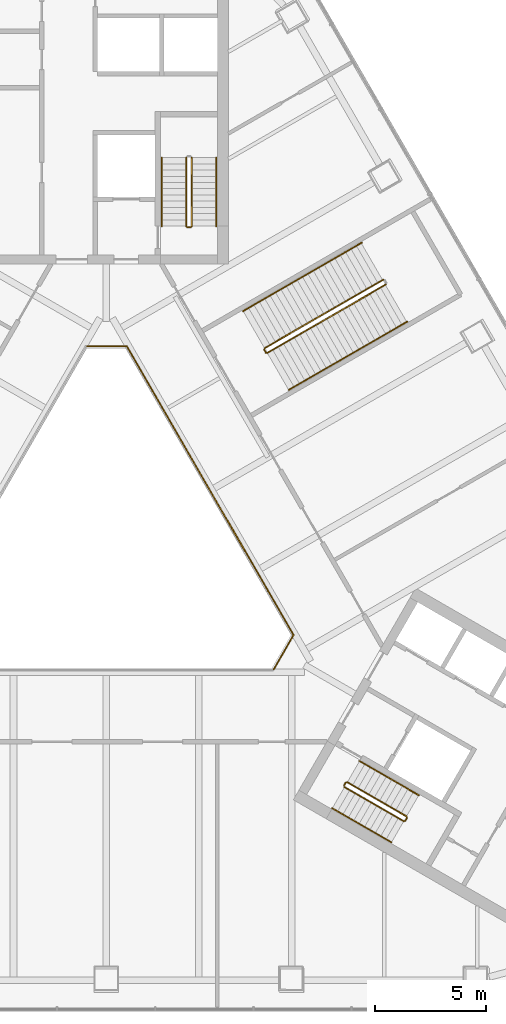
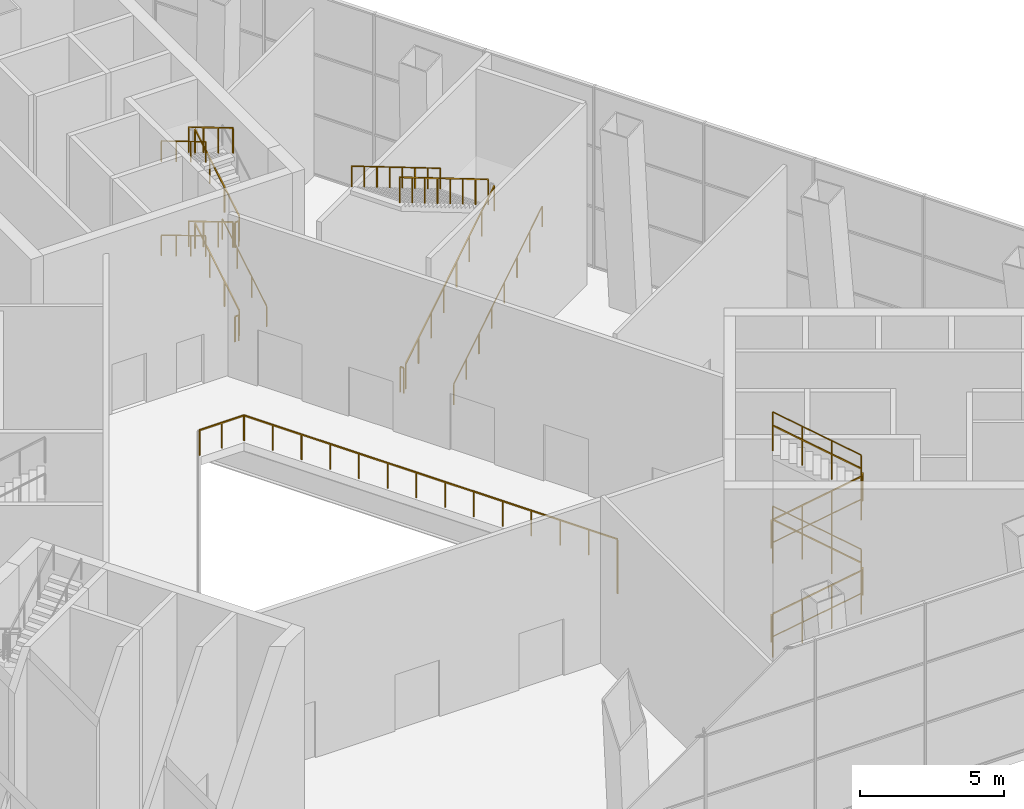
# One storey, part 15 of 16: 27 railings.
"""IFC4 building model written with IfcOpenShell, lengths in metres."""

from ifc_helpers import new_model, si_unit, direction, frame, origin, origin_2d, place, context, subcontext, project, spatial, rectangle, circle, extrude, material, type_object, element, save


model = new_model("IFC4")

# Units and contexts
model_context = context("Model", 3, precision=1e-05, world=origin(), true_north=direction((0.0, 1.0)))
body_context = subcontext(model_context, "Body", "Model", "MODEL_VIEW")
ifc_project = project(units=[si_unit("LENGTHUNIT", "METRE"), si_unit("AREAUNIT", "SQUARE_METRE"), si_unit("VOLUMEUNIT", "CUBIC_METRE"), si_unit("PLANEANGLEUNIT", "RADIAN"), si_unit("MASSUNIT", "GRAM", prefix="KILO")], contexts=[model_context])

# Site, building, storey
site_placement = place(None, origin())
site = spatial("IfcSite", under=ifc_project, at=site_placement, CompositionType="ELEMENT")
building_placement = place(site_placement, origin())
building = spatial("IfcBuilding", under=site, at=building_placement, Name="Apuvela Tower Hotel", CompositionType="ELEMENT")
storey_placement = place(building_placement, frame((0.0, 0.0, 15.5)))
storey = spatial("IfcBuildingStorey", under=building, at=storey_placement, Name="L02", CompositionType="ELEMENT", Elevation=15.5)

# Railings
ifc_material_1 = material(Name="Steel S275 balustrade", Category="steel")
railing_type_1 = type_object("IfcRailingType", Name="COR-GUARD-1100", PredefinedType="GUARDRAIL", material=ifc_material_1)
railing_1_placement = place(storey_placement, frame((3.85009765625, 14.60009765625, 0.166748046875)))
element("IfcRailing", 1, at=railing_1_placement, inside=storey, type_object=railing_type_1, Name="L02 ST1 stair guard 1", PredefinedType="GUARDRAIL", context=body_context, shape_type="SweptSolid", body=[
    extrude(rectangle(XDim=0.048095703125, YDim=0.048095703125, at=origin_2d()), frame((0.0, 0.0, 1.076171875), z_axis=(0.0, 0.859290745958, 0.51148745235), x_axis=(-1.0, 0.0, 0.0)), (0.0, 0.0, 1.0), 3.584228515625),
    extrude(rectangle(XDim=0.0419921875, YDim=0.0419921875, at=origin_2d()), origin(), (0.0, 0.0, 1.0), 1.052001953125),
    extrude(rectangle(XDim=0.0419921875, YDim=0.0419921875, at=origin_2d()), frame((0.0, 1.026611328125, 0.611083984375)), (0.0, 0.0, 1.0), 1.052001953125),
    extrude(rectangle(XDim=0.0419921875, YDim=0.0419921875, at=origin_2d()), frame((0.0, 2.05322265625, 1.22216796875)), (0.0, 0.0, 1.0), 1.052001953125),
    extrude(rectangle(XDim=0.0419921875, YDim=0.0419921875, at=origin_2d()), frame((0.0, 3.079833984375, 1.833251953125)), (0.0, 0.0, 1.0), 1.052001953125),
])
railing_2_placement = place(storey_placement, frame((3.60009765625, 17.679931640625, 2.166748046875)))
element("IfcRailing", 2, at=railing_2_placement, inside=storey, type_object=railing_type_1, Name="L02 ST1 stair guard 3", PredefinedType="GUARDRAIL", context=body_context, shape_type="SweptSolid", body=[
    extrude(rectangle(XDim=0.048095703125, YDim=0.048095703125, at=origin_2d()), frame((0.0, 0.0, 1.076171875), z_axis=(0.0, -0.859290745958, 0.51148745235), x_axis=(1.0, 0.0, 0.0)), (0.0, 0.0, 1.0), 3.584228515625),
    extrude(rectangle(XDim=0.0419921875, YDim=0.0419921875, at=origin_2d()), origin(), (0.0, 0.0, 1.0), 1.052001953125),
    extrude(rectangle(XDim=0.0419921875, YDim=0.0419921875, at=origin_2d()), frame((0.0, -1.026611328125, 0.611083984375)), (0.0, 0.0, 1.0), 1.052001953125),
    extrude(rectangle(XDim=0.0419921875, YDim=0.0419921875, at=origin_2d()), frame((0.0, -2.05322265625, 1.22216796875)), (0.0, 0.0, 1.0), 1.052001953125),
    extrude(rectangle(XDim=0.0419921875, YDim=0.0419921875, at=origin_2d()), frame((0.0, -3.079833984375, 1.833251953125)), (0.0, 0.0, 1.0), 1.052001953125),
])
railing_3_placement = place(storey_placement, frame((3.800048828125, 14.550048828125, 4.0)))
element("IfcRailing", 3, at=railing_3_placement, inside=storey, type_object=railing_type_1, Name="L02 ST1 stair guard 4", PredefinedType="GUARDRAIL", context=body_context, shape_type="SweptSolid", body=[
    extrude(rectangle(XDim=0.048095703125, YDim=0.048095703125, at=origin_2d()), frame((0.0, 0.0, 1.076171875), z_axis=(-1.0, 0.0, 0.0), x_axis=(0.0, -1.0, 0.0)), (0.0, 0.0, 1.0), 0.150146484375),
    extrude(rectangle(XDim=0.0419921875, YDim=0.0419921875, at=origin_2d()), origin(), (0.0, 0.0, 1.0), 1.052001953125),
    extrude(rectangle(XDim=0.0419921875, YDim=0.0419921875, at=origin_2d()), frame((-0.150146484375, 0.0, 0.0)), (0.0, 0.0, 1.0), 1.052001953125),
])
railing_4_placement = place(storey_placement, frame((3.85009765625, 14.60009765625, 4.166748046875)))
element("IfcRailing", 4, at=railing_4_placement, inside=storey, type_object=railing_type_1, Name="L02 ST1 stair guard 5", PredefinedType="GUARDRAIL", context=body_context, shape_type="SweptSolid", body=[
    extrude(rectangle(XDim=0.048095703125, YDim=0.048095703125, at=origin_2d()), frame((0.0, 0.0, 1.076171875), z_axis=(0.0, 0.859290745958, 0.51148745235), x_axis=(-1.0, 0.0, 0.0)), (0.0, 0.0, 1.0), 3.584228515625),
    extrude(rectangle(XDim=0.0419921875, YDim=0.0419921875, at=origin_2d()), origin(), (0.0, 0.0, 1.0), 1.052001953125),
    extrude(rectangle(XDim=0.0419921875, YDim=0.0419921875, at=origin_2d()), frame((0.0, 1.026611328125, 0.611083984375)), (0.0, 0.0, 1.0), 1.052001953125),
    extrude(rectangle(XDim=0.0419921875, YDim=0.0419921875, at=origin_2d()), frame((0.0, 2.05322265625, 1.22216796875)), (0.0, 0.0, 1.0), 1.052001953125),
    extrude(rectangle(XDim=0.0419921875, YDim=0.0419921875, at=origin_2d()), frame((0.0, 3.079833984375, 1.833251953125)), (0.0, 0.0, 1.0), 1.052001953125),
])
railing_5_placement = place(storey_placement, frame((3.60009765625, 17.679931640625, 6.166748046875)))
element("IfcRailing", 5, at=railing_5_placement, inside=storey, type_object=railing_type_1, Name="L02 ST1 stair guard 7", PredefinedType="GUARDRAIL", context=body_context, shape_type="SweptSolid", body=[
    extrude(rectangle(XDim=0.048095703125, YDim=0.048095703125, at=origin_2d()), frame((0.0, 0.0, 1.076171875), z_axis=(0.0, -0.859290745958, 0.51148745235), x_axis=(1.0, 0.0, 0.0)), (0.0, 0.0, 1.0), 3.584228515625),
    extrude(rectangle(XDim=0.0419921875, YDim=0.0419921875, at=origin_2d()), origin(), (0.0, 0.0, 1.0), 1.052001953125),
    extrude(rectangle(XDim=0.0419921875, YDim=0.0419921875, at=origin_2d()), frame((0.0, -1.026611328125, 0.611083984375)), (0.0, 0.0, 1.0), 1.052001953125),
    extrude(rectangle(XDim=0.0419921875, YDim=0.0419921875, at=origin_2d()), frame((0.0, -2.05322265625, 1.22216796875)), (0.0, 0.0, 1.0), 1.052001953125),
    extrude(rectangle(XDim=0.0419921875, YDim=0.0419921875, at=origin_2d()), frame((0.0, -3.079833984375, 1.833251953125)), (0.0, 0.0, 1.0), 1.052001953125),
])
railing_6_placement = place(storey_placement, frame((3.800048828125, 14.550048828125, 0.0)))
element("IfcRailing", 6, at=railing_6_placement, inside=storey, type_object=railing_type_1, Name="L02 ST1 stair guard 8", PredefinedType="GUARDRAIL", context=body_context, shape_type="SweptSolid", body=[
    extrude(rectangle(XDim=0.048095703125, YDim=0.048095703125, at=origin_2d()), frame((0.0, 0.0, 1.076171875), z_axis=(-1.0, 0.0, 0.0), x_axis=(0.0, -1.0, 0.0)), (0.0, 0.0, 1.0), 0.150146484375),
    extrude(rectangle(XDim=0.0419921875, YDim=0.0419921875, at=origin_2d()), origin(), (0.0, 0.0, 1.0), 1.052001953125),
    extrude(rectangle(XDim=0.0419921875, YDim=0.0419921875, at=origin_2d()), frame((-0.150146484375, 0.0, 0.0)), (0.0, 0.0, 1.0), 1.052001953125),
])
railing_7_placement = place(storey_placement, frame((10.718994140625, -10.63427734375, 0.166748046875)))
element("IfcRailing", 7, at=railing_7_placement, inside=storey, type_object=railing_type_1, Name="L02 ST3 stair guard 1", PredefinedType="GUARDRAIL", context=body_context, shape_type="SweptSolid", body=[
    extrude(rectangle(XDim=0.048095703125, YDim=0.048095703125, at=origin_2d()), frame((0.0, 0.0, 1.076171875), z_axis=(0.744159446956, -0.429671193721, 0.511477646425), x_axis=(0.500026652407, 0.866010015463, 0.0)), (0.0, 0.0, 1.0), 3.584228515625),
    extrude(rectangle(XDim=0.0419921875, YDim=0.0419921875, at=origin_2d()), origin(), (0.0, 0.0, 1.0), 1.052001953125),
    extrude(rectangle(XDim=0.0419921875, YDim=0.0419921875, at=origin_2d()), frame((0.88916015625, -0.513427734375, 0.611083984375)), (0.0, 0.0, 1.0), 1.052001953125),
    extrude(rectangle(XDim=0.0419921875, YDim=0.0419921875, at=origin_2d()), frame((1.778076171875, -1.026611328125, 1.22216796875)), (0.0, 0.0, 1.0), 1.052001953125),
    extrude(rectangle(XDim=0.0419921875, YDim=0.0419921875, at=origin_2d()), frame((2.667236328125, -1.5400390625, 1.833251953125)), (0.0, 0.0, 1.0), 1.052001953125),
])
railing_8_placement = place(storey_placement, frame((13.45458984375, -12.156005859375, 2.0)))
element("IfcRailing", 8, at=railing_8_placement, inside=storey, type_object=railing_type_1, Name="L02 ST3 stair guard 2", PredefinedType="GUARDRAIL", context=body_context, shape_type="SweptSolid", body=[
    extrude(rectangle(XDim=0.048095703125, YDim=0.048095703125, at=origin_2d()), frame((0.0, 0.0, 1.076171875), z_axis=(0.499112439033, 0.866537231285, 0.0), x_axis=(-0.866537231285, 0.499112439033, 0.0)), (0.0, 0.0, 1.0), 0.150146484375),
    extrude(rectangle(XDim=0.0419921875, YDim=0.0419921875, at=origin_2d()), origin(), (0.0, 0.0, 1.0), 1.052001953125),
    extrude(rectangle(XDim=0.0419921875, YDim=0.0419921875, at=origin_2d()), frame((0.074951171875, 0.130126953125, 0.0)), (0.0, 0.0, 1.0), 1.052001953125),
])
railing_9_placement = place(storey_placement, frame((13.51123046875, -11.957763671875, 2.166748046875)))
element("IfcRailing", 9, at=railing_9_placement, inside=storey, type_object=railing_type_1, Name="L02 ST3 stair guard 3", PredefinedType="GUARDRAIL", context=body_context, shape_type="SweptSolid", body=[
    extrude(rectangle(XDim=0.048095703125, YDim=0.048095703125, at=origin_2d()), frame((0.0, 0.0, 1.076171875), z_axis=(-0.744159446956, 0.429671193721, 0.511477646425), x_axis=(-0.500026652407, -0.866010015463, 0.0)), (0.0, 0.0, 1.0), 3.584228515625),
    extrude(rectangle(XDim=0.0419921875, YDim=0.0419921875, at=origin_2d()), origin(), (0.0, 0.0, 1.0), 1.052001953125),
    extrude(rectangle(XDim=0.0419921875, YDim=0.0419921875, at=origin_2d()), frame((-0.88916015625, 0.513427734375, 0.611083984375)), (0.0, 0.0, 1.0), 1.052001953125),
    extrude(rectangle(XDim=0.0419921875, YDim=0.0419921875, at=origin_2d()), frame((-1.778076171875, 1.026611328125, 1.22216796875)), (0.0, 0.0, 1.0), 1.052001953125),
    extrude(rectangle(XDim=0.0419921875, YDim=0.0419921875, at=origin_2d()), frame((-2.667236328125, 1.5400390625, 1.833251953125)), (0.0, 0.0, 1.0), 1.052001953125),
])
railing_10_placement = place(storey_placement, frame((10.70068359375, -10.56591796875, 4.0)))
element("IfcRailing", 10, at=railing_10_placement, inside=storey, type_object=railing_type_1, Name="L02 ST3 stair guard 4", PredefinedType="GUARDRAIL", context=body_context, shape_type="SweptSolid", body=[
    extrude(rectangle(XDim=0.048095703125, YDim=0.048095703125, at=origin_2d()), frame((0.0, 0.0, 1.076171875), z_axis=(0.499816412211, 0.866131372301, 0.0), x_axis=(-0.866131372301, 0.499816412211, 0.0)), (0.0, 0.0, 1.0), 0.14990234375),
    extrude(rectangle(XDim=0.0419921875, YDim=0.0419921875, at=origin_2d()), origin(), (0.0, 0.0, 1.0), 1.052001953125),
    extrude(rectangle(XDim=0.0419921875, YDim=0.0419921875, at=origin_2d()), frame((0.074951171875, 0.1298828125, 0.0)), (0.0, 0.0, 1.0), 1.052001953125),
])
railing_11_placement = place(storey_placement, frame((10.718994140625, -10.63427734375, 4.166748046875)))
element("IfcRailing", 11, at=railing_11_placement, inside=storey, type_object=railing_type_1, Name="L02 ST3 stair guard 5", PredefinedType="GUARDRAIL", context=body_context, shape_type="SweptSolid", body=[
    extrude(rectangle(XDim=0.048095703125, YDim=0.048095703125, at=origin_2d()), frame((0.0, 0.0, 1.076171875), z_axis=(0.744159446956, -0.429671193721, 0.511477646425), x_axis=(0.500026652407, 0.866010015463, 0.0)), (0.0, 0.0, 1.0), 3.584228515625),
    extrude(rectangle(XDim=0.0419921875, YDim=0.0419921875, at=origin_2d()), origin(), (0.0, 0.0, 1.0), 1.052001953125),
    extrude(rectangle(XDim=0.0419921875, YDim=0.0419921875, at=origin_2d()), frame((0.88916015625, -0.513427734375, 0.611083984375)), (0.0, 0.0, 1.0), 1.052001953125),
    extrude(rectangle(XDim=0.0419921875, YDim=0.0419921875, at=origin_2d()), frame((1.778076171875, -1.026611328125, 1.22216796875)), (0.0, 0.0, 1.0), 1.052001953125),
    extrude(rectangle(XDim=0.0419921875, YDim=0.0419921875, at=origin_2d()), frame((2.667236328125, -1.5400390625, 1.833251953125)), (0.0, 0.0, 1.0), 1.052001953125),
])
railing_12_placement = place(storey_placement, frame((13.45458984375, -12.156005859375, 6.0)))
element("IfcRailing", 12, at=railing_12_placement, inside=storey, type_object=railing_type_1, Name="L02 ST3 stair guard 6", PredefinedType="GUARDRAIL", context=body_context, shape_type="SweptSolid", body=[
    extrude(rectangle(XDim=0.048095703125, YDim=0.048095703125, at=origin_2d()), frame((0.0, 0.0, 1.076171875), z_axis=(0.499112439033, 0.866537231285, 0.0), x_axis=(-0.866537231285, 0.499112439033, 0.0)), (0.0, 0.0, 1.0), 0.150146484375),
    extrude(rectangle(XDim=0.0419921875, YDim=0.0419921875, at=origin_2d()), origin(), (0.0, 0.0, 1.0), 1.052001953125),
    extrude(rectangle(XDim=0.0419921875, YDim=0.0419921875, at=origin_2d()), frame((0.074951171875, 0.130126953125, 0.0)), (0.0, 0.0, 1.0), 1.052001953125),
])
railing_13_placement = place(storey_placement, frame((13.51123046875, -11.957763671875, 6.166748046875)))
element("IfcRailing", 13, at=railing_13_placement, inside=storey, type_object=railing_type_1, Name="L02 ST3 stair guard 7", PredefinedType="GUARDRAIL", context=body_context, shape_type="SweptSolid", body=[
    extrude(rectangle(XDim=0.048095703125, YDim=0.048095703125, at=origin_2d()), frame((0.0, 0.0, 1.076171875), z_axis=(-0.744159446956, 0.429671193721, 0.511477646425), x_axis=(-0.500026652407, -0.866010015463, 0.0)), (0.0, 0.0, 1.0), 3.584228515625),
    extrude(rectangle(XDim=0.0419921875, YDim=0.0419921875, at=origin_2d()), origin(), (0.0, 0.0, 1.0), 1.052001953125),
    extrude(rectangle(XDim=0.0419921875, YDim=0.0419921875, at=origin_2d()), frame((-0.88916015625, 0.513427734375, 0.611083984375)), (0.0, 0.0, 1.0), 1.052001953125),
    extrude(rectangle(XDim=0.0419921875, YDim=0.0419921875, at=origin_2d()), frame((-1.778076171875, 1.026611328125, 1.22216796875)), (0.0, 0.0, 1.0), 1.052001953125),
    extrude(rectangle(XDim=0.0419921875, YDim=0.0419921875, at=origin_2d()), frame((-2.667236328125, 1.5400390625, 1.833251953125)), (0.0, 0.0, 1.0), 1.052001953125),
])
railing_14_placement = place(storey_placement, frame((10.70068359375, -10.56591796875, 0.0)))
element("IfcRailing", 14, at=railing_14_placement, inside=storey, type_object=railing_type_1, Name="L02 ST3 stair guard 8", PredefinedType="GUARDRAIL", context=body_context, shape_type="SweptSolid", body=[
    extrude(rectangle(XDim=0.048095703125, YDim=0.048095703125, at=origin_2d()), frame((0.0, 0.0, 1.076171875), z_axis=(0.499816412211, 0.866131372301, 0.0), x_axis=(-0.866131372301, 0.499816412211, 0.0)), (0.0, 0.0, 1.0), 0.14990234375),
    extrude(rectangle(XDim=0.0419921875, YDim=0.0419921875, at=origin_2d()), origin(), (0.0, 0.0, 1.0), 1.052001953125),
    extrude(rectangle(XDim=0.0419921875, YDim=0.0419921875, at=origin_2d()), frame((0.074951171875, 0.1298828125, 0.0)), (0.0, 0.0, 1.0), 1.052001953125),
])
ifc_material_2 = material(Name="Stainless steel 316 handrail", Category="steel")
railing_type_2 = type_object("IfcRailingType", Name="COR-HANDRAIL-900", PredefinedType="HANDRAIL", material=ifc_material_2)
railing_15_placement = place(storey_placement, frame((4.949951171875, 14.60009765625, 0.166748046875)))
element("IfcRailing", 15, at=railing_15_placement, inside=storey, type_object=railing_type_2, Name="L02 ST1 stair handrail 1", PredefinedType="HANDRAIL", context=body_context, shape_type="SweptSolid", body=[
    extrude(circle(Radius=0.02392578125, at=origin_2d()), frame((0.0, 0.0, 0.8759765625), z_axis=(0.0, 0.859290745958, 0.51148745235), x_axis=(-1.0, 0.0, 0.0)), (0.0, 0.0, 1.0), 3.584228515625),
    extrude(rectangle(XDim=0.0419921875, YDim=0.0419921875, at=origin_2d()), origin(), (0.0, 0.0, 1.0), 0.851806640625),
    extrude(rectangle(XDim=0.0419921875, YDim=0.0419921875, at=origin_2d()), frame((0.0, 1.026611328125, 0.611083984375)), (0.0, 0.0, 1.0), 0.851806640625),
    extrude(rectangle(XDim=0.0419921875, YDim=0.0419921875, at=origin_2d()), frame((0.0, 2.05322265625, 1.22216796875)), (0.0, 0.0, 1.0), 0.851806640625),
    extrude(rectangle(XDim=0.0419921875, YDim=0.0419921875, at=origin_2d()), frame((0.0, 3.079833984375, 1.833251953125)), (0.0, 0.0, 1.0), 0.851806640625),
])
for number, where, name in (
    (16, (2.5, 17.679931640625, 2.166748046875), "L02 ST1 stair handrail 2"),
    (17, (2.5, 17.679931640625, 6.166748046875), "L02 ST1 stair handrail 4"),
):
    element("IfcRailing", number, at=place(storey_placement, frame(where)), inside=storey, type_object=railing_type_2, Name=name, PredefinedType="HANDRAIL", context=body_context, shape_type="SweptSolid", body=[
        extrude(circle(Radius=0.02392578125, at=origin_2d()), frame((0.0, 0.0, 0.8759765625), z_axis=(0.0, -0.859290745958, 0.51148745235), x_axis=(1.0, 0.0, 0.0)), (0.0, 0.0, 1.0), 3.584228515625),
        extrude(rectangle(XDim=0.0419921875, YDim=0.0419921875, at=origin_2d()), origin(), (0.0, 0.0, 1.0), 0.851806640625),
        extrude(rectangle(XDim=0.0419921875, YDim=0.0419921875, at=origin_2d()), frame((0.0, -1.026611328125, 0.611083984375)), (0.0, 0.0, 1.0), 0.851806640625),
        extrude(rectangle(XDim=0.0419921875, YDim=0.0419921875, at=origin_2d()), frame((0.0, -2.05322265625, 1.22216796875)), (0.0, 0.0, 1.0), 0.851806640625),
        extrude(rectangle(XDim=0.0419921875, YDim=0.0419921875, at=origin_2d()), frame((0.0, -3.079833984375, 1.833251953125)), (0.0, 0.0, 1.0), 0.851806640625),
    ])
railing_16_placement = place(storey_placement, frame((10.1689453125, -11.5869140625, 0.166748046875)))
element("IfcRailing", 18, at=railing_16_placement, inside=storey, type_object=railing_type_2, Name="L02 ST3 stair handrail 1", PredefinedType="HANDRAIL", context=body_context, shape_type="SweptSolid", body=[
    extrude(circle(Radius=0.02392578125, at=origin_2d()), frame((0.0, 0.0, 0.8759765625), z_axis=(0.744211616859, -0.429593874019, 0.511466687808), x_axis=(0.499932877268, 0.866064153644, 0.0)), (0.0, 0.0, 1.0), 3.584228515625),
    extrude(rectangle(XDim=0.0419921875, YDim=0.0419921875, at=origin_2d()), origin(), (0.0, 0.0, 1.0), 0.851806640625),
    extrude(rectangle(XDim=0.0419921875, YDim=0.0419921875, at=origin_2d()), frame((0.88916015625, -0.51318359375, 0.611083984375)), (0.0, 0.0, 1.0), 0.851806640625),
    extrude(rectangle(XDim=0.0419921875, YDim=0.0419921875, at=origin_2d()), frame((1.7783203125, -1.026611328125, 1.22216796875)), (0.0, 0.0, 1.0), 0.851806640625),
    extrude(rectangle(XDim=0.0419921875, YDim=0.0419921875, at=origin_2d()), frame((2.66748046875, -1.539794921875, 1.833251953125)), (0.0, 0.0, 1.0), 0.851806640625),
])
railing_17_placement = place(storey_placement, frame((14.061279296875, -11.005126953125, 2.166748046875)))
element("IfcRailing", 19, at=railing_17_placement, inside=storey, type_object=railing_type_2, Name="L02 ST3 stair handrail 2", PredefinedType="HANDRAIL", context=body_context, shape_type="SweptSolid", body=[
    extrude(circle(Radius=0.02392578125, at=origin_2d()), frame((0.0, 0.0, 0.8759765625), z_axis=(-0.744159446956, 0.429671193721, 0.511477646425), x_axis=(-0.500026652407, -0.866010015463, 0.0)), (0.0, 0.0, 1.0), 3.584228515625),
    extrude(rectangle(XDim=0.0419921875, YDim=0.0419921875, at=origin_2d()), origin(), (0.0, 0.0, 1.0), 0.851806640625),
    extrude(rectangle(XDim=0.0419921875, YDim=0.0419921875, at=origin_2d()), frame((-0.88916015625, 0.513427734375, 0.611083984375)), (0.0, 0.0, 1.0), 0.851806640625),
    extrude(rectangle(XDim=0.0419921875, YDim=0.0419921875, at=origin_2d()), frame((-1.778076171875, 1.026611328125, 1.22216796875)), (0.0, 0.0, 1.0), 0.851806640625),
    extrude(rectangle(XDim=0.0419921875, YDim=0.0419921875, at=origin_2d()), frame((-2.667236328125, 1.5400390625, 1.833251953125)), (0.0, 0.0, 1.0), 0.851806640625),
])
railing_18_placement = place(storey_placement, frame((10.1689453125, -11.5869140625, 4.166748046875)))
element("IfcRailing", 20, at=railing_18_placement, inside=storey, type_object=railing_type_2, Name="L02 ST3 stair handrail 3", PredefinedType="HANDRAIL", context=body_context, shape_type="SweptSolid", body=[
    extrude(circle(Radius=0.02392578125, at=origin_2d()), frame((0.0, 0.0, 0.8759765625), z_axis=(0.744211616859, -0.429593874019, 0.511466687808), x_axis=(0.499932877268, 0.866064153644, 0.0)), (0.0, 0.0, 1.0), 3.584228515625),
    extrude(rectangle(XDim=0.0419921875, YDim=0.0419921875, at=origin_2d()), origin(), (0.0, 0.0, 1.0), 0.851806640625),
    extrude(rectangle(XDim=0.0419921875, YDim=0.0419921875, at=origin_2d()), frame((0.88916015625, -0.51318359375, 0.611083984375)), (0.0, 0.0, 1.0), 0.851806640625),
    extrude(rectangle(XDim=0.0419921875, YDim=0.0419921875, at=origin_2d()), frame((1.7783203125, -1.026611328125, 1.22216796875)), (0.0, 0.0, 1.0), 0.851806640625),
    extrude(rectangle(XDim=0.0419921875, YDim=0.0419921875, at=origin_2d()), frame((2.66748046875, -1.539794921875, 1.833251953125)), (0.0, 0.0, 1.0), 0.851806640625),
])
railing_19_placement = place(storey_placement, frame((14.061279296875, -11.005126953125, 6.166748046875)))
element("IfcRailing", 21, at=railing_19_placement, inside=storey, type_object=railing_type_2, Name="L02 ST3 stair handrail 4", PredefinedType="HANDRAIL", context=body_context, shape_type="SweptSolid", body=[
    extrude(circle(Radius=0.02392578125, at=origin_2d()), frame((0.0, 0.0, 0.8759765625), z_axis=(-0.744159446956, 0.429671193721, 0.511477646425), x_axis=(-0.500026652407, -0.866010015463, 0.0)), (0.0, 0.0, 1.0), 3.584228515625),
    extrude(rectangle(XDim=0.0419921875, YDim=0.0419921875, at=origin_2d()), origin(), (0.0, 0.0, 1.0), 0.851806640625),
    extrude(rectangle(XDim=0.0419921875, YDim=0.0419921875, at=origin_2d()), frame((-0.88916015625, 0.513427734375, 0.611083984375)), (0.0, 0.0, 1.0), 0.851806640625),
    extrude(rectangle(XDim=0.0419921875, YDim=0.0419921875, at=origin_2d()), frame((-1.778076171875, 1.026611328125, 1.22216796875)), (0.0, 0.0, 1.0), 0.851806640625),
    extrude(rectangle(XDim=0.0419921875, YDim=0.0419921875, at=origin_2d()), frame((-2.667236328125, 1.5400390625, 1.833251953125)), (0.0, 0.0, 1.0), 0.851806640625),
])
ifc_material_3 = material(Name="Stainless steel 316 rail with laminated glass infill", Category="steel")
railing_type_3 = type_object("IfcRailingType", Name="ENV-GUARD-1100", PredefinedType="GUARDRAIL", material=ifc_material_3)
railing_20_placement = place(storey_placement, frame((7.53564453125, -5.347900390625, 0.0)))
element("IfcRailing", 22, at=railing_20_placement, inside=storey, type_object=railing_type_3, Name="Atrium void guard B L02", PredefinedType="GUARDRAIL", context=body_context, shape_type="SweptSolid", body=[
    extrude(rectangle(XDim=0.050048828125, YDim=0.050048828125, at=origin_2d()), frame((0.0, 0.0, 1.0751953125), z_axis=(0.499958946799, 0.866049104564, 0.0), x_axis=(-0.866049104564, 0.499958946799, 0.0)), (0.0, 0.0, 1.0), 1.787353515625),
    extrude(rectangle(XDim=0.050048828125, YDim=0.050048828125, at=origin_2d()), frame((0.8935546875, 1.5478515625, 1.0751953125), z_axis=(-0.499990886379, 0.866030665472, 0.0), x_axis=(-0.866030665472, -0.499990886379, 0.0)), (0.0, 0.0, 1.0), 15.010986328125),
    extrude(rectangle(XDim=0.050048828125, YDim=0.050048828125, at=origin_2d()), frame((-6.61181640625, 14.5478515625, 1.0751953125), z_axis=(-1.0, 0.0, 0.0), x_axis=(0.0, -1.0, 0.0)), (0.0, 0.0, 1.0), 1.78759765625),
    extrude(rectangle(XDim=0.0400390625, YDim=0.0400390625, at=origin_2d()), origin(), (0.0, 0.0, 1.0), 1.050048828125),
    extrude(rectangle(XDim=0.0400390625, YDim=0.0400390625, at=origin_2d()), frame((0.44677734375, 0.77392578125, 0.0)), (0.0, 0.0, 1.0), 1.050048828125),
    extrude(rectangle(XDim=0.0400390625, YDim=0.0400390625, at=origin_2d()), frame((0.8935546875, 1.5478515625, 0.0)), (0.0, 0.0, 1.0), 1.050048828125),
    extrude(rectangle(XDim=0.0400390625, YDim=0.0400390625, at=origin_2d()), frame((0.316162109375, 2.5478515625, 0.0)), (0.0, 0.0, 1.0), 1.050048828125),
    extrude(rectangle(XDim=0.0400390625, YDim=0.0400390625, at=origin_2d()), frame((-0.26123046875, 3.5478515625, 0.0)), (0.0, 0.0, 1.0), 1.050048828125),
    extrude(rectangle(XDim=0.0400390625, YDim=0.0400390625, at=origin_2d()), frame((-0.83837890625, 4.5478515625, 0.0)), (0.0, 0.0, 1.0), 1.050048828125),
    extrude(rectangle(XDim=0.0400390625, YDim=0.0400390625, at=origin_2d()), frame((-1.415771484375, 5.5478515625, 0.0)), (0.0, 0.0, 1.0), 1.050048828125),
    extrude(rectangle(XDim=0.0400390625, YDim=0.0400390625, at=origin_2d()), frame((-1.9931640625, 6.5478515625, 0.0)), (0.0, 0.0, 1.0), 1.050048828125),
    extrude(rectangle(XDim=0.0400390625, YDim=0.0400390625, at=origin_2d()), frame((-2.570556640625, 7.5478515625, 0.0)), (0.0, 0.0, 1.0), 1.050048828125),
    extrude(rectangle(XDim=0.0400390625, YDim=0.0400390625, at=origin_2d()), frame((-3.147705078125, 8.5478515625, 0.0)), (0.0, 0.0, 1.0), 1.050048828125),
    extrude(rectangle(XDim=0.0400390625, YDim=0.0400390625, at=origin_2d()), frame((-3.72509765625, 9.5478515625, 0.0)), (0.0, 0.0, 1.0), 1.050048828125),
    extrude(rectangle(XDim=0.0400390625, YDim=0.0400390625, at=origin_2d()), frame((-4.302490234375, 10.5478515625, 0.0)), (0.0, 0.0, 1.0), 1.050048828125),
    extrude(rectangle(XDim=0.0400390625, YDim=0.0400390625, at=origin_2d()), frame((-4.8798828125, 11.5478515625, 0.0)), (0.0, 0.0, 1.0), 1.050048828125),
    extrude(rectangle(XDim=0.0400390625, YDim=0.0400390625, at=origin_2d()), frame((-5.45703125, 12.5478515625, 0.0)), (0.0, 0.0, 1.0), 1.050048828125),
    extrude(rectangle(XDim=0.0400390625, YDim=0.0400390625, at=origin_2d()), frame((-6.034423828125, 13.5478515625, 0.0)), (0.0, 0.0, 1.0), 1.050048828125),
    extrude(rectangle(XDim=0.0400390625, YDim=0.0400390625, at=origin_2d()), frame((-6.61181640625, 14.5478515625, 0.0)), (0.0, 0.0, 1.0), 1.050048828125),
    extrude(rectangle(XDim=0.0400390625, YDim=0.0400390625, at=origin_2d()), frame((-7.505615234375, 14.5478515625, 0.0)), (0.0, 0.0, 1.0), 1.050048828125),
    extrude(rectangle(XDim=0.0400390625, YDim=0.0400390625, at=origin_2d()), frame((-8.3994140625, 14.5478515625, 0.0)), (0.0, 0.0, 1.0), 1.050048828125),
])
ifc_material_4 = material(Name="Steel S355 guard with laminated glass infill", Category="steel")
railing_type_4 = type_object("IfcRailingType", Name="SPC-GUARD-1100", PredefinedType="GUARDRAIL", material=ifc_material_4)
railing_21_placement = place(storey_placement, frame((7.250732421875, 8.8916015625, 0.173828125)))
element("IfcRailing", 23, at=railing_21_placement, inside=storey, type_object=railing_type_4, Name="L02 PS1 stair guard 1", PredefinedType="GUARDRAIL", context=body_context, shape_type="SweptSolid", body=[
    extrude(rectangle(XDim=0.048095703125, YDim=0.048095703125, at=origin_2d()), frame((0.0, 0.0, 1.076171875), z_axis=(0.735671360837, 0.42471713958, 0.527639081371), x_axis=(-0.49997976489, 0.866037086216, 0.0)), (0.0, 0.0, 1.0), 7.25146484375),
    extrude(rectangle(XDim=0.0419921875, YDim=0.0419921875, at=origin_2d()), origin(), (0.0, 0.0, 1.0), 1.052001953125),
    extrude(rectangle(XDim=0.0419921875, YDim=0.0419921875, at=origin_2d()), frame((0.76220703125, 0.43994140625, 0.546630859375)), (0.0, 0.0, 1.0), 1.052001953125),
    extrude(rectangle(XDim=0.0419921875, YDim=0.0419921875, at=origin_2d()), frame((1.524169921875, 0.8798828125, 1.09326171875)), (0.0, 0.0, 1.0), 1.052001953125),
    extrude(rectangle(XDim=0.0419921875, YDim=0.0419921875, at=origin_2d()), frame((2.286376953125, 1.31982421875, 1.639892578125)), (0.0, 0.0, 1.0), 1.052001953125),
    extrude(rectangle(XDim=0.0419921875, YDim=0.0419921875, at=origin_2d()), frame((3.04833984375, 1.760009765625, 2.186279296875)), (0.0, 0.0, 1.0), 1.052001953125),
    extrude(rectangle(XDim=0.0419921875, YDim=0.0419921875, at=origin_2d()), frame((3.810546875, 2.199951171875, 2.73291015625)), (0.0, 0.0, 1.0), 1.052001953125),
    extrude(rectangle(XDim=0.0419921875, YDim=0.0419921875, at=origin_2d()), frame((4.572509765625, 2.639892578125, 3.279541015625)), (0.0, 0.0, 1.0), 1.052001953125),
    extrude(rectangle(XDim=0.0419921875, YDim=0.0419921875, at=origin_2d()), frame((5.334716796875, 3.079833984375, 3.826171875)), (0.0, 0.0, 1.0), 1.052001953125),
])
railing_22_placement = place(storey_placement, frame((12.46044921875, 12.18798828125, 4.173828125)))
element("IfcRailing", 24, at=railing_22_placement, inside=storey, type_object=railing_type_4, Name="L02 PS1 stair guard 3", PredefinedType="GUARDRAIL", context=body_context, shape_type="SweptSolid", body=[
    extrude(rectangle(XDim=0.048095703125, YDim=0.048095703125, at=origin_2d()), frame((0.0, 0.0, 1.076171875), z_axis=(-0.735671360837, -0.42471713958, 0.527639081371), x_axis=(0.49997976489, -0.866037086216, 0.0)), (0.0, 0.0, 1.0), 7.25146484375),
    extrude(rectangle(XDim=0.0419921875, YDim=0.0419921875, at=origin_2d()), origin(), (0.0, 0.0, 1.0), 1.052001953125),
    extrude(rectangle(XDim=0.0419921875, YDim=0.0419921875, at=origin_2d()), frame((-0.76220703125, -0.43994140625, 0.546630859375)), (0.0, 0.0, 1.0), 1.052001953125),
    extrude(rectangle(XDim=0.0419921875, YDim=0.0419921875, at=origin_2d()), frame((-1.524169921875, -0.8798828125, 1.09326171875)), (0.0, 0.0, 1.0), 1.052001953125),
    extrude(rectangle(XDim=0.0419921875, YDim=0.0419921875, at=origin_2d()), frame((-2.286376953125, -1.31982421875, 1.639892578125)), (0.0, 0.0, 1.0), 1.052001953125),
    extrude(rectangle(XDim=0.0419921875, YDim=0.0419921875, at=origin_2d()), frame((-3.04833984375, -1.760009765625, 2.186279296875)), (0.0, 0.0, 1.0), 1.052001953125),
    extrude(rectangle(XDim=0.0419921875, YDim=0.0419921875, at=origin_2d()), frame((-3.810546875, -2.199951171875, 2.73291015625)), (0.0, 0.0, 1.0), 1.052001953125),
    extrude(rectangle(XDim=0.0419921875, YDim=0.0419921875, at=origin_2d()), frame((-4.572509765625, -2.639892578125, 3.279541015625)), (0.0, 0.0, 1.0), 1.052001953125),
    extrude(rectangle(XDim=0.0419921875, YDim=0.0419921875, at=origin_2d()), frame((-5.334716796875, -3.079833984375, 3.826171875)), (0.0, 0.0, 1.0), 1.052001953125),
])
railing_23_placement = place(storey_placement, frame((7.182373046875, 8.909912109375, 0.0)))
element("IfcRailing", 25, at=railing_23_placement, inside=storey, type_object=railing_type_4, Name="L02 PS1 stair guard 4", PredefinedType="GUARDRAIL", context=body_context, shape_type="SweptSolid", body=[
    extrude(rectangle(XDim=0.048095703125, YDim=0.048095703125, at=origin_2d()), frame((0.0, 0.0, 1.076171875), z_axis=(-0.499816412211, 0.866131372301, 0.0), x_axis=(-0.866131372301, -0.499816412211, 0.0)), (0.0, 0.0, 1.0), 0.14990234375),
    extrude(rectangle(XDim=0.0419921875, YDim=0.0419921875, at=origin_2d()), origin(), (0.0, 0.0, 1.0), 1.052001953125),
    extrude(rectangle(XDim=0.0419921875, YDim=0.0419921875, at=origin_2d()), frame((-0.074951171875, 0.1298828125, 0.0)), (0.0, 0.0, 1.0), 1.052001953125),
])
ifc_material_5 = material(Name="Steel S355 tube handrail", Category="steel")
railing_type_5 = type_object("IfcRailingType", Name="SPC-HANDRAIL-900", PredefinedType="HANDRAIL", material=ifc_material_5)
railing_24_placement = place(storey_placement, frame((8.213134765625, 7.224365234375, 0.173828125)))
element("IfcRailing", 26, at=railing_24_placement, inside=storey, type_object=railing_type_5, Name="L02 PS1 stair handrail 1", PredefinedType="HANDRAIL", context=body_context, shape_type="SweptSolid", body=[
    extrude(circle(Radius=0.02392578125, at=origin_2d()), frame((0.0, 0.0, 0.8759765625), z_axis=(0.73566084112, 0.424744733494, 0.527631536407), x_axis=(-0.500009490121, 0.866019924591, 0.0)), (0.0, 0.0, 1.0), 7.251708984375),
    extrude(rectangle(XDim=0.0419921875, YDim=0.0419921875, at=origin_2d()), origin(), (0.0, 0.0, 1.0), 0.851806640625),
    extrude(rectangle(XDim=0.0419921875, YDim=0.0419921875, at=origin_2d()), frame((0.76220703125, 0.43994140625, 0.546630859375)), (0.0, 0.0, 1.0), 0.851806640625),
    extrude(rectangle(XDim=0.0419921875, YDim=0.0419921875, at=origin_2d()), frame((1.524169921875, 0.880126953125, 1.09326171875)), (0.0, 0.0, 1.0), 0.851806640625),
    extrude(rectangle(XDim=0.0419921875, YDim=0.0419921875, at=origin_2d()), frame((2.286376953125, 1.320068359375, 1.639892578125)), (0.0, 0.0, 1.0), 0.851806640625),
    extrude(rectangle(XDim=0.0419921875, YDim=0.0419921875, at=origin_2d()), frame((3.04833984375, 1.760009765625, 2.186279296875)), (0.0, 0.0, 1.0), 0.851806640625),
    extrude(rectangle(XDim=0.0419921875, YDim=0.0419921875, at=origin_2d()), frame((3.810546875, 2.199951171875, 2.73291015625)), (0.0, 0.0, 1.0), 0.851806640625),
    extrude(rectangle(XDim=0.0419921875, YDim=0.0419921875, at=origin_2d()), frame((4.572509765625, 2.64013671875, 3.279541015625)), (0.0, 0.0, 1.0), 0.851806640625),
    extrude(rectangle(XDim=0.0419921875, YDim=0.0419921875, at=origin_2d()), frame((5.334716796875, 3.080078125, 3.826171875)), (0.0, 0.0, 1.0), 0.851806640625),
])
railing_25_placement = place(storey_placement, frame((11.497802734375, 13.855224609375, 4.173828125)))
element("IfcRailing", 27, at=railing_25_placement, inside=storey, type_object=railing_type_5, Name="L02 PS1 stair handrail 2", PredefinedType="HANDRAIL", context=body_context, shape_type="SweptSolid", body=[
    extrude(circle(Radius=0.02392578125, at=origin_2d()), frame((0.0, 0.0, 0.8759765625), z_axis=(-0.73566084112, -0.424744733494, 0.527631536407), x_axis=(0.500009490121, -0.866019924591, 0.0)), (0.0, 0.0, 1.0), 7.251708984375),
    extrude(rectangle(XDim=0.0419921875, YDim=0.0419921875, at=origin_2d()), origin(), (0.0, 0.0, 1.0), 0.851806640625),
    extrude(rectangle(XDim=0.0419921875, YDim=0.0419921875, at=origin_2d()), frame((-0.76220703125, -0.43994140625, 0.546630859375)), (0.0, 0.0, 1.0), 0.851806640625),
    extrude(rectangle(XDim=0.0419921875, YDim=0.0419921875, at=origin_2d()), frame((-1.524169921875, -0.880126953125, 1.09326171875)), (0.0, 0.0, 1.0), 0.851806640625),
    extrude(rectangle(XDim=0.0419921875, YDim=0.0419921875, at=origin_2d()), frame((-2.286376953125, -1.320068359375, 1.639892578125)), (0.0, 0.0, 1.0), 0.851806640625),
    extrude(rectangle(XDim=0.0419921875, YDim=0.0419921875, at=origin_2d()), frame((-3.04833984375, -1.760009765625, 2.186279296875)), (0.0, 0.0, 1.0), 0.851806640625),
    extrude(rectangle(XDim=0.0419921875, YDim=0.0419921875, at=origin_2d()), frame((-3.810546875, -2.199951171875, 2.73291015625)), (0.0, 0.0, 1.0), 0.851806640625),
    extrude(rectangle(XDim=0.0419921875, YDim=0.0419921875, at=origin_2d()), frame((-4.572509765625, -2.64013671875, 3.279541015625)), (0.0, 0.0, 1.0), 0.851806640625),
    extrude(rectangle(XDim=0.0419921875, YDim=0.0419921875, at=origin_2d()), frame((-5.334716796875, -3.080078125, 3.826171875)), (0.0, 0.0, 1.0), 0.851806640625),
])

save(model, "model.ifc")
